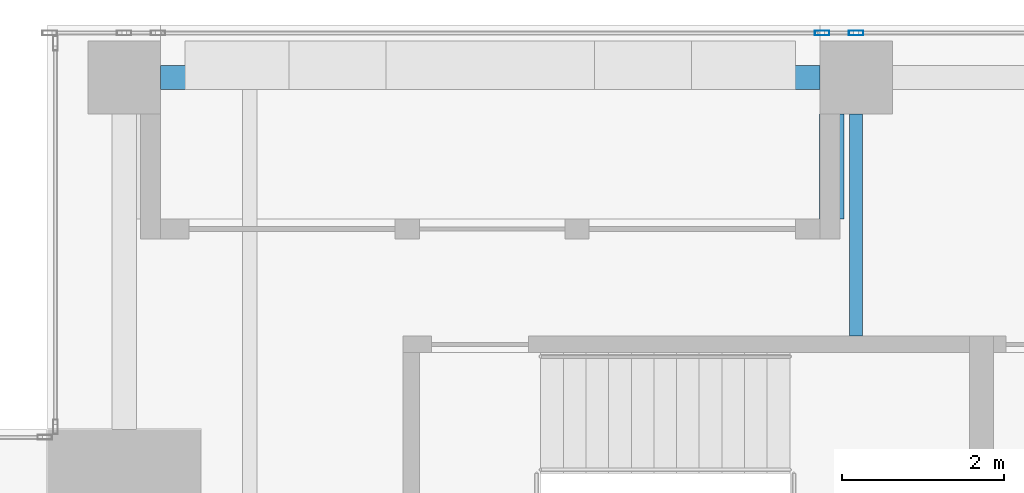
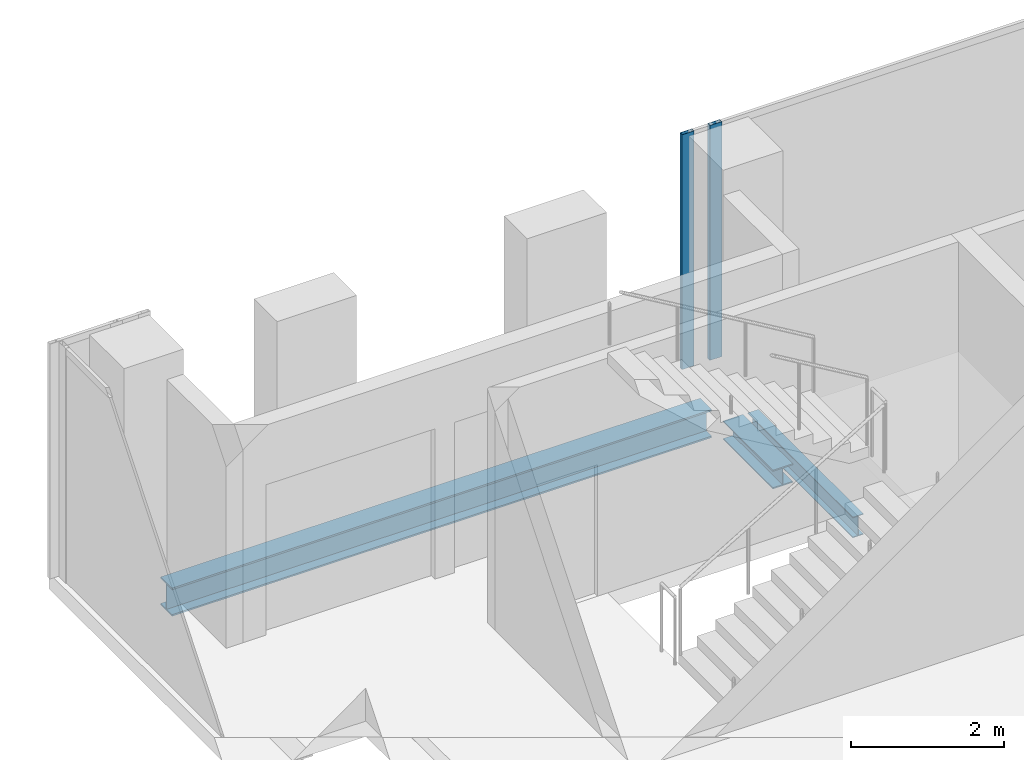
# One storey, part 19 of 36: 3 beams, 2 members, 1 element without a shape of its own.
"""IFC4 building model written with IfcOpenShell, lengths in metres."""

from ifc_helpers import new_model, si_unit, direction, frame, origin, origin_2d, place, context, subcontext, project, spatial, hollow_rectangle, i_section, extrude, source, transform, mapped, material, material_profile, profile_set, type_object, element, aggregate, save


model = new_model("IFC4")

# Units and contexts
model_context = context("Model", 3, precision=1e-05, world=origin(), true_north=direction((0.0, 1.0)))
body_context = subcontext(model_context, "Body", "Model", "MODEL_VIEW")
ifc_project = project(units=[si_unit("LENGTHUNIT", "METRE"), si_unit("AREAUNIT", "SQUARE_METRE"), si_unit("VOLUMEUNIT", "CUBIC_METRE"), si_unit("PLANEANGLEUNIT", "RADIAN"), si_unit("MASSUNIT", "GRAM", prefix="KILO")], contexts=[model_context])

# Site, building, storey
site_placement = place(None, origin())
site = spatial("IfcSite", under=ifc_project, at=site_placement, CompositionType="ELEMENT")
building_placement = place(site_placement, origin())
building = spatial("IfcBuilding", under=site, at=building_placement, Name="Khomas Fold Tower", CompositionType="ELEMENT")
storey_placement = place(building_placement, frame((0.0, 0.0, 226.199951171875)))
storey = spatial("IfcBuildingStorey", under=building, at=storey_placement, Name="L50", CompositionType="ELEMENT", Elevation=226.199951171875)

# Beams
ifc_material_1 = material(Name="Steel S355", Category="steel")
ifc_material_profile_1 = material_profile(ifc_material_1, i_section(OverallWidth=0.159912109375, OverallDepth=0.330078125, WebThickness=0.007568359375, FlangeThickness=0.011474609375, at=origin_2d()), Name="IPE 330")
ifc_profile_set_1 = profile_set([ifc_material_profile_1], Name="Steel S355")
beam_type_1 = type_object("IfcBeamType", Name="IPE 330 beam JB1", PredefinedType="BEAM", material=ifc_profile_set_1)
shared_shape_1 = source(origin(), body_context, "Body", "SweptSolid", [
    extrude(i_section(OverallWidth=0.159912109375, OverallDepth=0.330078125, WebThickness=0.007568359375, FlangeThickness=0.011474609375, at=origin_2d()), origin(), (0.0, 0.0, 1.0), 2.75),
])
beam_1_placement = place(storey_placement, frame((19.5, 45.64990234375, -0.4150390625), z_axis=(0.0, 1.0, 0.0), x_axis=(-1.0, 0.0, 0.0)))
element("IfcBeam", 1, at=beam_1_placement, inside=storey, type_object=beam_type_1, Name="JB1", PredefinedType="BEAM", context=body_context, shape_type="MappedRepresentation", body=[
    mapped(shared_shape_1, transform((0.0, 0.0, 0.0))),
])
ifc_material_2 = material(Name="Steel S355", Category="steel")
ifc_material_profile_2 = material_profile(ifc_material_2, i_section(OverallWidth=0.300048828125, OverallDepth=0.449951171875, WebThickness=0.013916015625, FlangeThickness=0.02587890625, at=origin_2d()), Name="HE 450 B")
ifc_profile_set_2 = profile_set([ifc_material_profile_2], Name="Steel S355")
beam_type_2 = type_object("IfcBeamType", Name="HE 450 B spandrel SB4", PredefinedType="SPANDREL", material=ifc_profile_set_2)
shared_shape_2 = source(origin(), body_context, "Body", "SweptSolid", [
    extrude(i_section(OverallWidth=0.300048828125, OverallDepth=0.449951171875, WebThickness=0.013916015625, FlangeThickness=0.02587890625, at=origin_2d()), origin(), (0.0, 0.0, 1.0), 8.150146484375),
])
beam_2_placement = place(storey_placement, frame((10.89990234375, 48.85009765625, -0.474853515625), z_axis=(1.0, 0.0, 0.0), x_axis=(0.0, 1.0, 0.0)))
element("IfcBeam", 2, at=beam_2_placement, inside=storey, type_object=beam_type_2, Name="SB4", PredefinedType="SPANDREL", context=body_context, shape_type="MappedRepresentation", body=[
    mapped(shared_shape_2, transform((0.0, 0.0, 0.0))),
])
ifc_material_3 = material(Name="Steel S355", Category="steel")
ifc_material_profile_3 = material_profile(ifc_material_3, i_section(OverallWidth=0.300048828125, OverallDepth=0.300048828125, WebThickness=0.010986328125, FlangeThickness=0.01904296875, at=origin_2d()), Name="HE 300 B")
ifc_profile_set_3 = profile_set([ifc_material_profile_3], Name="Steel S355")
beam_type_3 = type_object("IfcBeamType", Name="HE 300 B beam BB1", PredefinedType="BEAM", material=ifc_profile_set_3)
shared_shape_3 = source(origin(), body_context, "Body", "SweptSolid", [
    extrude(i_section(OverallWidth=0.300048828125, OverallDepth=0.300048828125, WebThickness=0.010986328125, FlangeThickness=0.01904296875, at=origin_2d()), origin(), (0.0, 0.0, 1.0), 1.2998046875),
])
beam_3_placement = place(storey_placement, frame((19.199951171875, 47.10009765625, -0.39990234375), z_axis=(0.0, 1.0, 0.0), x_axis=(-1.0, 0.0, 0.0)))
element("IfcBeam", 3, at=beam_3_placement, inside=storey, type_object=beam_type_3, Name="BB1", PredefinedType="BEAM", context=body_context, shape_type="MappedRepresentation", body=[
    mapped(shared_shape_3, transform((0.0, 0.0, 0.0))),
])

# Curtain wall, members
ifc_material_4 = material(Name="Aluminium framed double glazing", Category="aluminium")
curtain_wall_type = type_object("IfcCurtainWallType", Name="SK-Unitised clear-glass wall, office floors CW2", PredefinedType="NOTDEFINED", material=ifc_material_4)
curtain_wall_placement = place(storey_placement, origin())
curtain_wall = element("IfcCurtainWall", 4, at=curtain_wall_placement, inside=storey, type_object=curtain_wall_type, Name="CW2 run L50 06-0", PredefinedType="NOTDEFINED")
ifc_material_5 = material(Name="Aluminium", Category="aluminium")
ifc_material_profile_4 = material_profile(ifc_material_5, hollow_rectangle(XDim=0.06005859375, YDim=0.179931640625, WallThickness=0.00390625, at=origin_2d()), Name="SK-Unitised clear-glass wall, office floors mullion CW2-M")
ifc_profile_set_4 = profile_set([ifc_material_profile_4], Name="Aluminium")
member_type = type_object("IfcMemberType", Name="SK-Unitised clear-glass wall, office floors mullion CW2-M", PredefinedType="MULLION", material=ifc_profile_set_4)
shared_shape_4 = source(origin(), body_context, "Body", "SweptSolid", [
    extrude(hollow_rectangle(XDim=0.06005859375, YDim=0.179931640625, WallThickness=0.00390625, at=origin_2d()), origin(), (0.0, 0.0, 1.0), 3.75),
])
member_1_placement = place(storey_placement, frame((19.5, 49.39990234375, 0.0), z_axis=(0.0, 0.0, 1.0), x_axis=(0.0, -1.0, 0.0)))
member_1 = element("IfcMember", 5, at=member_1_placement, type_object=member_type, Name="CW2 mullion 5", PredefinedType="MULLION", context=body_context, shape_type="MappedRepresentation", body=[
    mapped(shared_shape_4, transform((0.0, 0.0, 0.0))),
])
member_2_placement = place(storey_placement, frame((19.080078125, 49.39990234375, 0.0), z_axis=(0.0, 0.0, 1.0), x_axis=(0.0, -1.0, 0.0)))
member_2 = element("IfcMember", 6, at=member_2_placement, type_object=member_type, Name="CW2 mullion 6", PredefinedType="MULLION", context=body_context, shape_type="MappedRepresentation", body=[
    mapped(shared_shape_4, transform((0.0, 0.0, 0.0))),
])
aggregate(curtain_wall, [member_1, member_2])

save(model, "model.ifc")
